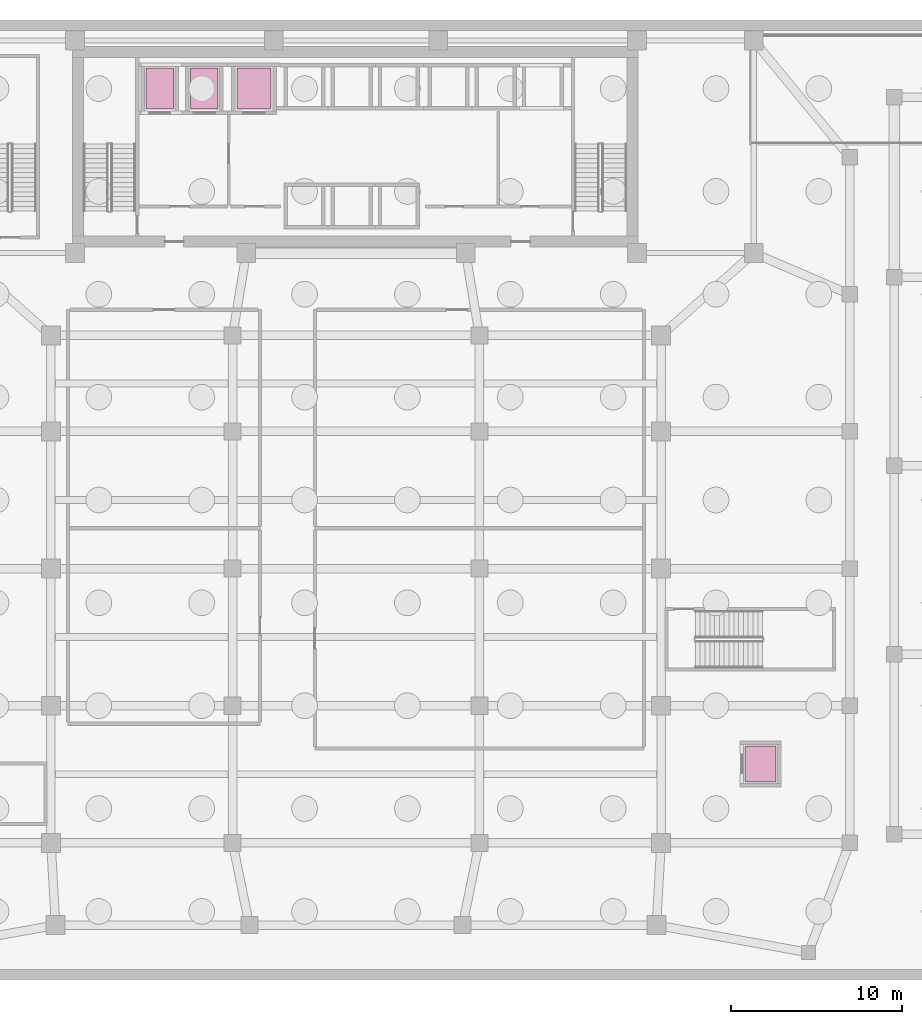
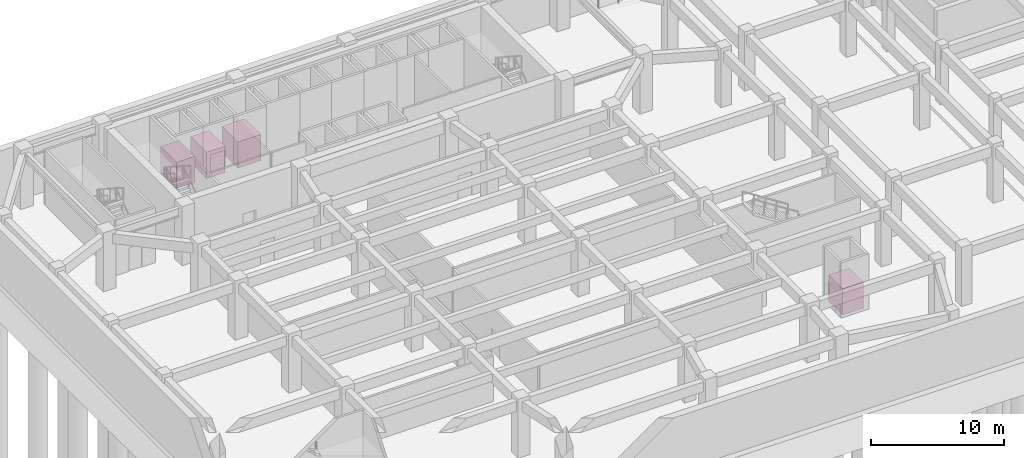
# One storey, part 18 of 18: 4 transport elements.
"""IFC4 building model written with IfcOpenShell, lengths in metres."""

import ifcopenshell
import ifcopenshell.guid

model = None  # the IFC model being written
_history = None  # IfcOwnerHistory: only IFC2X3 demands one
_inside = {}  # id of a spatial element -> (the spatial element, [elements in it])
_under = {}  # id of a project, library or spatial element -> (it, [spatial elements below it])
_declared = {}  # id of a project -> (the project, [libraries it declares])
_typed = {}  # id of a type object -> (the type object, [elements of that type])
_made_of = {}  # id of a material, layer set ... -> (it, [elements and type objects made of it])


def new_model(schema):
    """Start an empty IFC model of exactly this schema.

    Asked for "IFC4X3", IfcOpenShell would pick the latest addendum, in which some entities
    have other attributes; the version numbers below select the first issue.
    IFC2X3 requires an IfcOwnerHistory on every rooted entity: one is made here for all.
    """
    global model, _history
    if schema == "IFC4X3":
        model = ifcopenshell.file(schema_version=(4, 3, 0, 0))
    else:
        model = ifcopenshell.file(schema=schema)
    _inside.clear()
    _under.clear()
    _declared.clear()
    _typed.clear()
    _made_of.clear()
    _history = None
    if model.schema == "IFC2X3":
        org = make("IfcOrganization", Name="unknown")
        user = make(
            "IfcPersonAndOrganization",
            ThePerson=make("IfcPerson", FamilyName="unknown"),
            TheOrganization=org,
        )
        app = make(
            "IfcApplication",
            ApplicationDeveloper=org,
            Version="unknown",
            ApplicationFullName="unknown",
            ApplicationIdentifier="unknown",
        )
        _history = make(
            "IfcOwnerHistory",
            OwningUser=user,
            OwningApplication=app,
            ChangeAction="ADDED",
            CreationDate=0,
        )
    return model


def make(cls, **values):
    """One entity of the class cls with the attributes given. An attribute that is None is left unset."""
    return model.create_entity(
        cls, **{name: value for name, value in values.items() if value is not None}
    )


def rooted(cls, **values):
    """An entity with a GlobalId (a new one), such as an element, a storey or a relation."""
    return make(cls, GlobalId=ifcopenshell.guid.new(), OwnerHistory=_history, **values)


def si_unit(unit_type, name, prefix=None):
    """IfcSIUnit, for example si_unit("LENGTHUNIT", "METRE", prefix="MILLI")."""
    return make("IfcSIUnit", UnitType=unit_type, Prefix=prefix, Name=name)


def assignment(units):
    """IfcUnitAssignment: the units of a project."""
    return None if units is None else make("IfcUnitAssignment", Units=units)


def point(xyz):
    """IfcCartesianPoint."""
    return None if xyz is None else make("IfcCartesianPoint", Coordinates=xyz)


def direction(xyz):
    """IfcDirection."""
    return None if xyz is None else make("IfcDirection", DirectionRatios=xyz)


def frame(location, z_axis=None, x_axis=None):
    """IfcAxis2Placement3D, a coordinate frame: its origin and axes. An axis left out is left unset."""
    return make(
        "IfcAxis2Placement3D",
        Location=point(location),
        Axis=direction(z_axis),
        RefDirection=direction(x_axis),
    )


def frame_2d(location, x_axis=None):
    """IfcAxis2Placement2D, a coordinate frame in the plane: its origin and x axis."""
    return make(
        "IfcAxis2Placement2D", Location=point(location), RefDirection=direction(x_axis)
    )


def origin():
    """The frame at (0, 0, 0) with its axes left unset."""
    return frame((0.0, 0.0, 0.0))


def origin_2d():
    """The frame at (0, 0) in the plane with its x axis left unset."""
    return frame_2d((0.0, 0.0))


def place(relative_to, where):
    """IfcLocalPlacement: puts the frame where relative to a parent placement (None: the world)."""
    return make(
        "IfcLocalPlacement", PlacementRelTo=relative_to, RelativePlacement=where
    )


def context(
    kind, dimensions, precision=None, world=None, true_north=None, identifier=None
):
    """IfcGeometricRepresentationContext, for example the 3D "Model" context."""
    return make(
        "IfcGeometricRepresentationContext",
        ContextIdentifier=identifier,
        ContextType=kind,
        CoordinateSpaceDimension=dimensions,
        Precision=precision,
        WorldCoordinateSystem=world,
        TrueNorth=true_north,
    )


def subcontext(parent, identifier, kind, view, scale=None):
    """IfcGeometricRepresentationSubContext, for example "Body" below "Model"."""
    return make(
        "IfcGeometricRepresentationSubContext",
        ContextIdentifier=identifier,
        ContextType=kind,
        ParentContext=parent,
        TargetScale=scale,
        TargetView=view,
    )


def project(units=None, contexts=None):
    """IfcProject with its units and contexts."""
    return rooted(
        "IfcProject",
        Name="project",
        RepresentationContexts=contexts,
        UnitsInContext=assignment(units),
    )


def spatial(cls, under=None, at=None, **own):
    """A site, building, storey or space (cls), placed at a placement, below another one or the project."""
    s = rooted(cls, ObjectPlacement=at, **own)
    if under is not None:
        _under.setdefault(under.id(), (under, []))[1].append(s)
    return s


def profile(cls, at=None, kind="AREA", **sizes):
    """A parametric profile (cls). Its sizes go by their IFC names, for example OverallWidth=200.0."""
    return make(cls, ProfileType=kind, Position=at, **sizes)


def rectangle(**sizes):
    """IfcRectangleProfileDef."""
    return profile("IfcRectangleProfileDef", **sizes)


def extrude(swept, where, along, depth):
    """IfcExtrudedAreaSolid: the profile swept, set in the frame where, extruded along a direction by depth."""
    return make(
        "IfcExtrudedAreaSolid",
        SweptArea=swept,
        Position=where,
        ExtrudedDirection=direction(along),
        Depth=depth,
    )


def shape(context_of_items, identifier, shape_type, items):
    """IfcShapeRepresentation: the items that make up one representation, for example the "Body"."""
    return make(
        "IfcShapeRepresentation",
        ContextOfItems=context_of_items,
        RepresentationIdentifier=identifier,
        RepresentationType=shape_type,
        Items=items,
    )


def material(Name=None, Category=None):
    """IfcMaterial."""
    return make("IfcMaterial", Name=Name, Category=Category)


def made_of(thing, what):
    """Note that an element or type object is made of a material, layer set ...; save() writes the relation."""
    if what is not None:
        _made_of.setdefault(what.id(), (what, []))[1].append(thing)
    return thing


def type_object(cls, material=None, **own):
    """A type object (cls), such as IfcWallType, which elements share."""
    return made_of(rooted(cls, **own), material)


def element(
    cls,
    number,
    at=None,
    inside=None,
    cuts=None,
    type_object=None,
    material=None,
    context=None,
    identifier="Body",
    shape_type=None,
    held_by="IfcProductDefinitionShape",
    body=None,
    shapes=None,
    **own,
):
    """One element of the class cls, such as IfcWall. Its Tag is "e" and its number.

    at: its placement. inside: the storey or other place that contains it. cuts: it is an
    opening in that element (IfcRelVoidsElement). A single representation is given by context,
    identifier, shape_type and body (its items); several are given by shapes. held_by: the class
    of the entity that holds the representations. save() writes the other relations.
    """
    e = rooted(cls, Tag="e%d" % number, ObjectPlacement=at, **own)
    if body is not None:
        shapes = [shape(context, identifier, shape_type, body)]
    if shapes is not None:
        e.Representation = make(held_by, Representations=shapes)
    if inside is not None:
        _inside.setdefault(inside.id(), (inside, []))[1].append(e)
    if cuts is not None:
        rooted(
            "IfcRelVoidsElement", RelatingBuildingElement=cuts, RelatedOpeningElement=e
        )
    if type_object is not None:
        _typed.setdefault(type_object.id(), (type_object, []))[1].append(e)
    return made_of(e, material)


def aggregate(whole, parts):
    """IfcRelAggregates: a whole, such as a stair, and the parts it consists of."""
    return rooted("IfcRelAggregates", RelatingObject=whole, RelatedObjects=parts)


def save(model, path):
    """Write the relations noted so far, then the file.

    IfcRelAggregates (storeys below a building ...), IfcRelContainedInSpatialStructure (elements
    in a storey), IfcRelDefinesByType, IfcRelAssociatesMaterial and IfcRelDeclares: one each for
    every whole, place, type object, material and project.
    """
    for whole, parts in _under.values():
        aggregate(whole, parts)
    for where, things in _inside.values():
        rooted(
            "IfcRelContainedInSpatialStructure",
            RelatedElements=things,
            RelatingStructure=where,
        )
    for kind, things in _typed.values():
        rooted("IfcRelDefinesByType", RelatedObjects=things, RelatingType=kind)
    for what, things in _made_of.values():
        rooted("IfcRelAssociatesMaterial", RelatedObjects=things, RelatingMaterial=what)
    for by, libraries in _declared.values():
        rooted("IfcRelDeclares", RelatingContext=by, RelatedDefinitions=libraries)
    model.write(path)


model = new_model("IFC4")

# Units and contexts
model_context = context("Model", 3, precision=1e-05, world=origin(), true_north=direction((0.0, 1.0)))
body_context = subcontext(model_context, "Body", "Model", "MODEL_VIEW")
ifc_project = project(units=[si_unit("LENGTHUNIT", "METRE"), si_unit("AREAUNIT", "SQUARE_METRE"), si_unit("VOLUMEUNIT", "CUBIC_METRE"), si_unit("PLANEANGLEUNIT", "RADIAN"), si_unit("MASSUNIT", "GRAM", prefix="KILO")], contexts=[model_context])

# Site, building, storey
site_placement = place(None, origin())
site = spatial("IfcSite", under=ifc_project, at=site_placement, CompositionType="ELEMENT")
building_placement = place(site_placement, origin())
building = spatial("IfcBuilding", under=site, at=building_placement, Name="Saevonmaru Cultural Tower", CompositionType="ELEMENT")
storey_placement = place(building_placement, frame((0.0, 0.0, -10.800048828125)))
storey = spatial("IfcBuildingStorey", under=building, at=storey_placement, Name="B2", CompositionType="ELEMENT", Elevation=-10.800048828125)

# Transport elements
ifc_material = material(Name="Stainless Steel 316", Category="steel")
transport_element_type_1 = type_object("IfcTransportElementType", Name="TR-LIFT-FF", PredefinedType="ELEVATOR", material=ifc_material)
for number, where, z_axis, x_axis, name in (
    (1, (18.550048828125, 52.0, 0.0), (0.0, 0.0, 1.0), (1.0, 0.0, 0.0), "Elevator FFL-1"),
    (2, (21.14990234375, 52.0, 0.0), (0.0, 0.0, 1.0), (1.0, 0.0, 0.0), "Elevator FFL-2"),
):
    element("IfcTransportElement", number, at=place(storey_placement, frame(where, z_axis=z_axis, x_axis=x_axis)), inside=storey, type_object=transport_element_type_1, Name=name, PredefinedType="ELEVATOR", context=body_context, shape_type="SweptSolid", body=[
        extrude(rectangle(XDim=1.60009765625, YDim=2.39990234375, at=origin_2d()), origin(), (0.0, 0.0, 1.0), 2.39990234375),
    ])
transport_element_type_2 = type_object("IfcTransportElementType", Name="TR-LIFT-STN", PredefinedType="ELEVATOR", material=ifc_material)
transport_element_1_placement = place(storey_placement, frame((53.60009765625, 12.60009765625, 0.0), z_axis=(0.0, 0.0, 1.0), x_axis=(1.0, 0.0, 0.0)))
element("IfcTransportElement", 3, at=transport_element_1_placement, inside=storey, type_object=transport_element_type_2, Name="Elevator SLF-1", PredefinedType="ELEVATOR", context=body_context, shape_type="SweptSolid", body=[
    extrude(rectangle(XDim=1.800048828125, YDim=2.10009765625, at=origin_2d()), origin(), (0.0, 0.0, 1.0), 2.39990234375),
])
transport_element_type_3 = type_object("IfcTransportElementType", Name="TR-LIFT-SV", PredefinedType="ELEVATOR", material=ifc_material)
transport_element_2_placement = place(storey_placement, frame((24.050048828125, 52.0, 0.0), z_axis=(0.0, 0.0, 1.0), x_axis=(1.0, 0.0, 0.0)))
element("IfcTransportElement", 4, at=transport_element_2_placement, inside=storey, type_object=transport_element_type_3, Name="Elevator GL-1", PredefinedType="ELEVATOR", context=body_context, shape_type="SweptSolid", body=[
    extrude(rectangle(XDim=2.0, YDim=2.39990234375, at=origin_2d()), origin(), (0.0, 0.0, 1.0), 2.39990234375),
])

save(model, "model.ifc")
